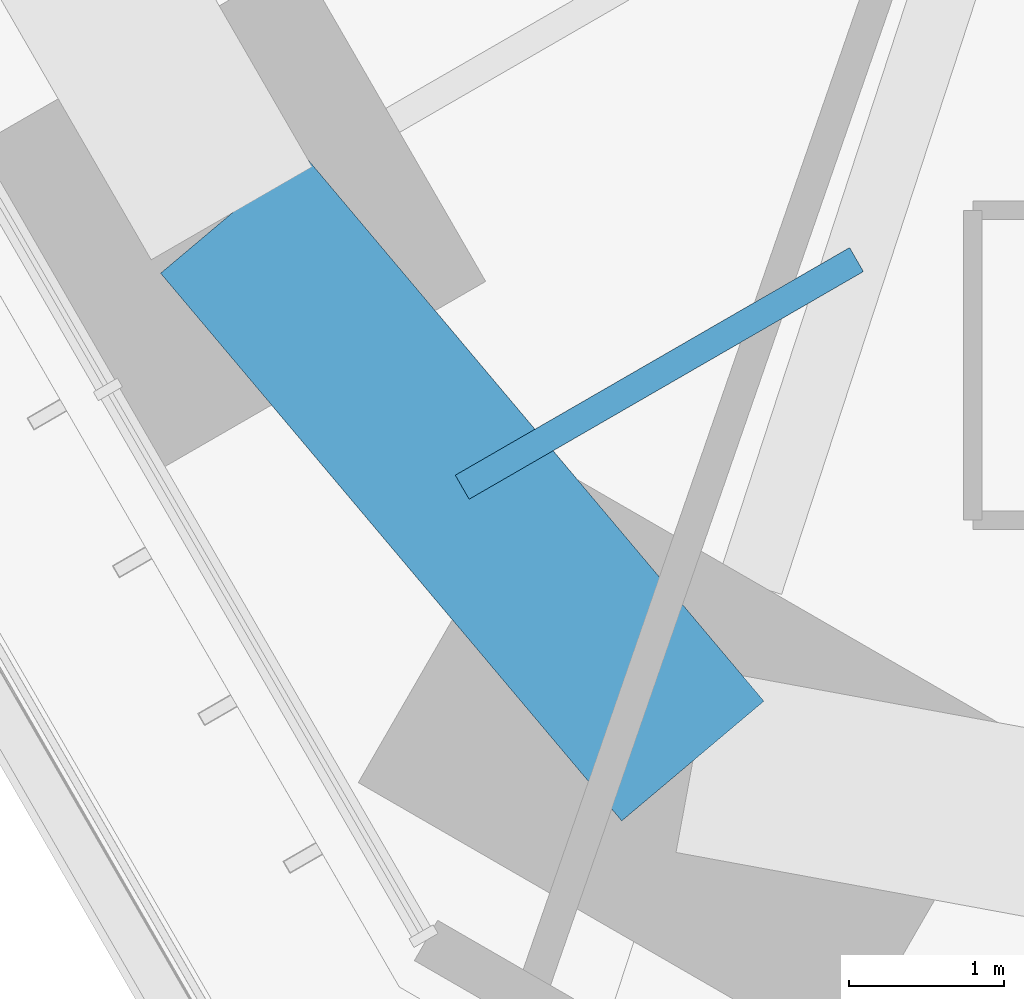
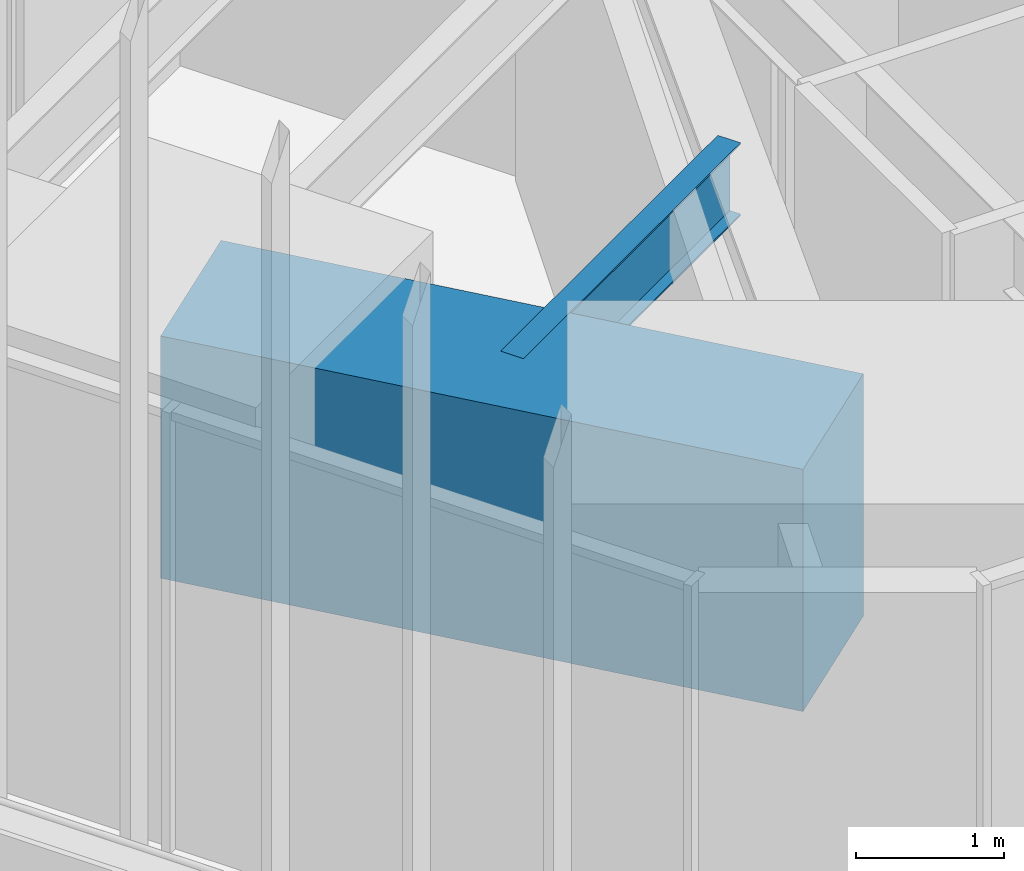
# One storey, part 18 of 238: 2 beams.
"""IFC4 building model written with IfcOpenShell, lengths in metres."""

from ifc_helpers import new_model, si_unit, direction, frame, origin, origin_2d, place, context, subcontext, project, spatial, rectangle, i_section, extrude, material, material_profile, profile_set, type_object, element, save


model = new_model("IFC4")

# Units and contexts
model_context = context("Model", 3, precision=1e-05, world=origin(), true_north=direction((0.0, 1.0)))
body_context = subcontext(model_context, "Body", "Model", "MODEL_VIEW")
ifc_project = project(units=[si_unit("LENGTHUNIT", "METRE"), si_unit("AREAUNIT", "SQUARE_METRE"), si_unit("VOLUMEUNIT", "CUBIC_METRE"), si_unit("PLANEANGLEUNIT", "RADIAN"), si_unit("MASSUNIT", "GRAM", prefix="KILO")], contexts=[model_context])

# Site, building, storey
site_placement = place(None, origin())
site = spatial("IfcSite", under=ifc_project, at=site_placement, CompositionType="ELEMENT")
building_placement = place(site_placement, origin())
building = spatial("IfcBuilding", under=site, at=building_placement, Name="Sandreach Pilgrim Tower", CompositionType="ELEMENT")
storey_placement = place(building_placement, frame((0.0, 0.0, 96.800048828125)))
storey = spatial("IfcBuildingStorey", under=building, at=storey_placement, Name="L23", CompositionType="ELEMENT", Elevation=96.800048828125)

# Beams
ifc_material_1 = material(Name="Steel ASTM A992 Grade 50", Category="steel")
ifc_material_profile_1 = material_profile(ifc_material_1, i_section(OverallWidth=0.1787109375, OverallDepth=0.60205078125, WebThickness=0.010986328125, FlangeThickness=0.014892578125, at=origin_2d()), Name="W24X62")
ifc_profile_set_1 = profile_set([ifc_material_profile_1], Name="Steel ASTM A992 Grade 50")
beam_type_1 = type_object("IfcBeamType", Name="Floor beam W24X62", PredefinedType="BEAM", material=ifc_profile_set_1)
beam_1_placement = place(storey_placement, frame((-10.006103515625, -24.326904296875, 3.3388671875), z_axis=(0.866015396618, 0.500017332519, 0.0), x_axis=(-0.500017332519, 0.866015396618, 0.0)))
element("IfcBeam", 1, at=beam_1_placement, inside=storey, type_object=beam_type_1, Name="BM L23 FM26", PredefinedType="BEAM", context=body_context, shape_type="SweptSolid", body=[
    extrude(i_section(OverallWidth=0.1787109375, OverallDepth=0.60205078125, WebThickness=0.010986328125, FlangeThickness=0.014892578125, at=origin_2d()), origin(), (0.0, 0.0, 1.0), 2.9384765625),
])
ifc_material_2 = material(Name="Concrete 10000 psi", Category="concrete")
ifc_material_profile_2 = material_profile(ifc_material_2, rectangle(XDim=1.199951171875, YDim=2.0, at=origin_2d()), Name="RC1200X2000")
ifc_profile_set_2 = profile_set([ifc_material_profile_2], Name="Concrete 10000 psi")
beam_type_2 = type_object("IfcBeamType", Name="Spandrel beam RC1200X2000", PredefinedType="SPANDREL", material=ifc_profile_set_2)
beam_2_placement = place(storey_placement, frame((-8.517822265625, -26.09423828125, 2.639892578125), z_axis=(-0.644078801547, 0.764959147535, 0.0), x_axis=(-0.764959147535, -0.644078801547, 0.0)))
element("IfcBeam", 2, at=beam_2_placement, inside=storey, type_object=beam_type_2, Name="BM L23 SP26", PredefinedType="SPANDREL", context=body_context, shape_type="SweptSolid", body=[
    extrude(rectangle(XDim=1.199951171875, YDim=2.0, at=origin_2d()), origin(), (0.0, 0.0, 1.0), 4.62109375),
])

save(model, "model.ifc")
